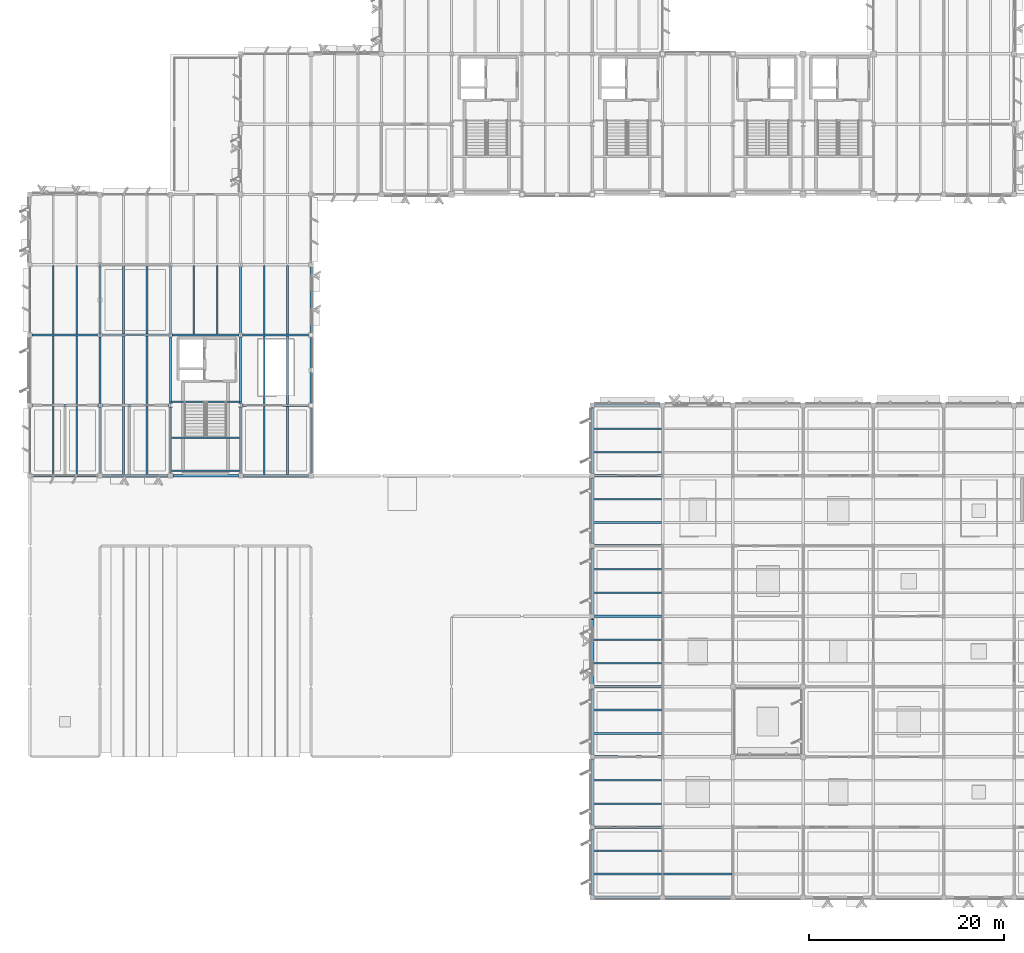
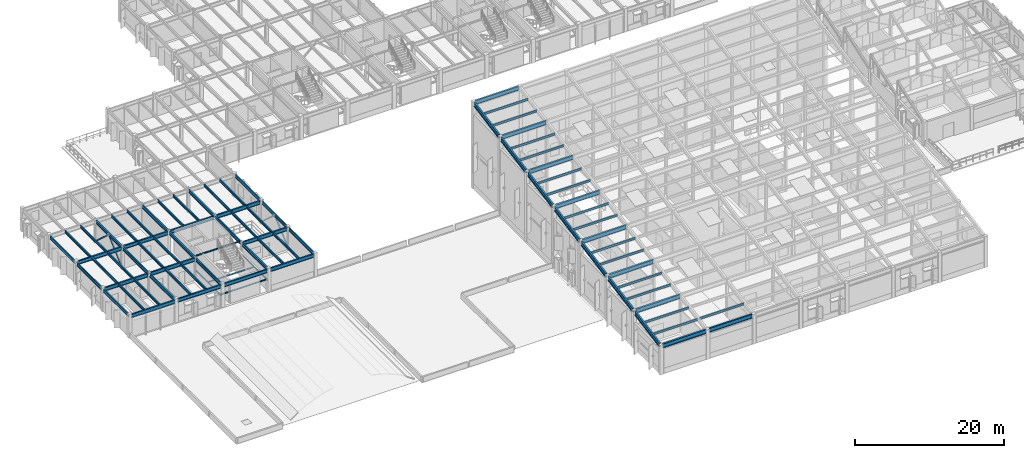
# One storey, part 15 of 82: 82 beams, 4 members.
"""IFC4 building model written with IfcOpenShell, lengths in metres."""

from ifc_helpers import new_model, si_unit, direction, frame, origin, origin_2d, place, context, subcontext, project, spatial, hollow_rectangle, i_section, extrude, material, material_profile, profile_set, type_object, element, save


model = new_model("IFC4")

# Units and contexts
model_context = context("Model", 3, precision=1e-05, world=origin(), true_north=direction((0.0, 1.0)))
body_context = subcontext(model_context, "Body", "Model", "MODEL_VIEW")
ifc_project = project(units=[si_unit("LENGTHUNIT", "METRE"), si_unit("AREAUNIT", "SQUARE_METRE"), si_unit("VOLUMEUNIT", "CUBIC_METRE"), si_unit("PLANEANGLEUNIT", "RADIAN"), si_unit("MASSUNIT", "GRAM", prefix="KILO")], contexts=[model_context])

# Site, building, storey
site_placement = place(None, origin())
site = spatial("IfcSite", under=ifc_project, at=site_placement, CompositionType="ELEMENT")
building_placement = place(site_placement, origin())
building = spatial("IfcBuilding", under=site, at=building_placement, Name="Sillqori Civic Hall", CompositionType="ELEMENT")
storey_placement = place(building_placement, frame((0.0, 0.0, 14.10009765625)))
storey = spatial("IfcBuildingStorey", under=building, at=storey_placement, Name="L04", CompositionType="ELEMENT", Elevation=14.10009765625)

# Beams
ifc_material_1 = material(Name="Steel ASTM A992", Category="steel")
ifc_material_profile_1 = material_profile(ifc_material_1, i_section(OverallWidth=0.2099609375, OverallDepth=0.532958984375, WebThickness=0.01025390625, FlangeThickness=0.015625, FilletRadius=0.013916015625, at=origin_2d()), Name="W21X62")
ifc_profile_set_1 = profile_set([ifc_material_profile_1], Name="Steel ASTM A992")
beam_type_1 = type_object("IfcBeamType", Name="BM-W21X62", PredefinedType="BEAM", material=ifc_profile_set_1)
beam_1_placement = place(storey_placement, frame((14.39990234375, 50.64404296875, 3.433349609375), z_axis=(0.0, 1.0, 0.0), x_axis=(-1.0, 0.0, 0.0)))
element("IfcBeam", 1, at=beam_1_placement, inside=storey, type_object=beam_type_1, Name="L04 girder Y 2-7", PredefinedType="BEAM", context=body_context, shape_type="SweptSolid", body=[
    extrude(i_section(OverallWidth=0.2099609375, OverallDepth=0.532958984375, WebThickness=0.01025390625, FlangeThickness=0.015625, FilletRadius=0.013916015625, at=origin_2d()), origin(), (0.0, 0.0, 1.0), 6.781494140625),
])
beam_2_placement = place(storey_placement, frame((14.39990234375, 57.7744140625, 3.433349609375), z_axis=(0.0, 1.0, 0.0), x_axis=(-1.0, 0.0, 0.0)))
element("IfcBeam", 2, at=beam_2_placement, inside=storey, type_object=beam_type_1, Name="L04 girder Y 2-8", PredefinedType="BEAM", context=body_context, shape_type="SweptSolid", body=[
    extrude(i_section(OverallWidth=0.2099609375, OverallDepth=0.532958984375, WebThickness=0.01025390625, FlangeThickness=0.015625, FilletRadius=0.013916015625, at=origin_2d()), origin(), (0.0, 0.0, 1.0), 6.85107421875),
])
beam_3_placement = place(storey_placement, frame((14.39990234375, 64.974609375, 3.433349609375), z_axis=(0.0, 1.0, 0.0), x_axis=(-1.0, 0.0, 0.0)))
element("IfcBeam", 3, at=beam_3_placement, inside=storey, type_object=beam_type_1, Name="L04 girder Y 2-9", PredefinedType="BEAM", context=body_context, shape_type="SweptSolid", body=[
    extrude(i_section(OverallWidth=0.2099609375, OverallDepth=0.532958984375, WebThickness=0.01025390625, FlangeThickness=0.015625, FilletRadius=0.013916015625, at=origin_2d()), origin(), (0.0, 0.0, 1.0), 6.850830078125),
])
beam_4_placement = place(storey_placement, frame((21.60009765625, 50.64404296875, 3.453369140625), z_axis=(0.0, 1.0, 0.0), x_axis=(-1.0, 0.0, 0.0)))
element("IfcBeam", 4, at=beam_4_placement, inside=storey, type_object=beam_type_1, Name="L04 girder Y 3-7", PredefinedType="BEAM", context=body_context, shape_type="SweptSolid", body=[
    extrude(i_section(OverallWidth=0.2099609375, OverallDepth=0.532958984375, WebThickness=0.01025390625, FlangeThickness=0.015625, FilletRadius=0.013916015625, at=origin_2d()), origin(), (0.0, 0.0, 1.0), 6.781494140625),
])
beam_5_placement = place(storey_placement, frame((21.60009765625, 57.7744140625, 3.453369140625), z_axis=(0.0, 1.0, 0.0), x_axis=(-1.0, 0.0, 0.0)))
element("IfcBeam", 5, at=beam_5_placement, inside=storey, type_object=beam_type_1, Name="L04 girder Y 3-8", PredefinedType="BEAM", context=body_context, shape_type="SweptSolid", body=[
    extrude(i_section(OverallWidth=0.2099609375, OverallDepth=0.532958984375, WebThickness=0.01025390625, FlangeThickness=0.015625, FilletRadius=0.013916015625, at=origin_2d()), origin(), (0.0, 0.0, 1.0), 6.85107421875),
])
beam_6_placement = place(storey_placement, frame((21.60009765625, 64.974609375, 3.453369140625), z_axis=(0.0, 1.0, 0.0), x_axis=(-1.0, 0.0, 0.0)))
element("IfcBeam", 6, at=beam_6_placement, inside=storey, type_object=beam_type_1, Name="L04 girder Y 3-9", PredefinedType="BEAM", context=body_context, shape_type="SweptSolid", body=[
    extrude(i_section(OverallWidth=0.2099609375, OverallDepth=0.532958984375, WebThickness=0.01025390625, FlangeThickness=0.015625, FilletRadius=0.013916015625, at=origin_2d()), origin(), (0.0, 0.0, 1.0), 6.850830078125),
])
beam_7_placement = place(storey_placement, frame((28.800048828125, 50.64404296875, 3.453369140625), z_axis=(0.0, 1.0, 0.0), x_axis=(-1.0, 0.0, 0.0)))
element("IfcBeam", 7, at=beam_7_placement, inside=storey, type_object=beam_type_1, Name="L04 girder Y 4-7", PredefinedType="BEAM", context=body_context, shape_type="SweptSolid", body=[
    extrude(i_section(OverallWidth=0.2099609375, OverallDepth=0.532958984375, WebThickness=0.01025390625, FlangeThickness=0.015625, FilletRadius=0.013916015625, at=origin_2d()), origin(), (0.0, 0.0, 1.0), 6.781494140625),
])
beam_8_placement = place(storey_placement, frame((28.800048828125, 57.7744140625, 3.453369140625), z_axis=(0.0, 1.0, 0.0), x_axis=(-1.0, 0.0, 0.0)))
element("IfcBeam", 8, at=beam_8_placement, inside=storey, type_object=beam_type_1, Name="L04 girder Y 4-8", PredefinedType="BEAM", context=body_context, shape_type="SweptSolid", body=[
    extrude(i_section(OverallWidth=0.2099609375, OverallDepth=0.532958984375, WebThickness=0.01025390625, FlangeThickness=0.015625, FilletRadius=0.013916015625, at=origin_2d()), origin(), (0.0, 0.0, 1.0), 6.85107421875),
])
beam_9_placement = place(storey_placement, frame((28.800048828125, 64.974609375, 3.453369140625), z_axis=(0.0, 1.0, 0.0), x_axis=(-1.0, 0.0, 0.0)))
element("IfcBeam", 9, at=beam_9_placement, inside=storey, type_object=beam_type_1, Name="L04 girder Y 4-9", PredefinedType="BEAM", context=body_context, shape_type="SweptSolid", body=[
    extrude(i_section(OverallWidth=0.2099609375, OverallDepth=0.532958984375, WebThickness=0.01025390625, FlangeThickness=0.015625, FilletRadius=0.013916015625, at=origin_2d()), origin(), (0.0, 0.0, 1.0), 6.850830078125),
])
ifc_material_profile_2 = material_profile(ifc_material_1, i_section(OverallWidth=0.22802734375, OverallDepth=0.60205078125, WebThickness=0.010498046875, FlangeThickness=0.014892578125, FilletRadius=0.014892578125, at=origin_2d()), Name="W24X68")
ifc_profile_set_2 = profile_set([ifc_material_profile_2], Name="Steel ASTM A992")
beam_type_2 = type_object("IfcBeamType", Name="BM-W24X68", PredefinedType="BEAM", material=ifc_profile_set_2)
beam_10_placement = place(storey_placement, frame((7.444091796875, 50.39990234375, 3.39892578125), z_axis=(1.0, 0.0, 0.0), x_axis=(0.0, 1.0, 0.0)))
element("IfcBeam", 10, at=beam_10_placement, inside=storey, type_object=beam_type_2, Name="L04 girder X 1-7", PredefinedType="BEAM", context=body_context, shape_type="SweptSolid", body=[
    extrude(i_section(OverallWidth=0.22802734375, OverallDepth=0.60205078125, WebThickness=0.010498046875, FlangeThickness=0.014892578125, FilletRadius=0.014892578125, at=origin_2d()), origin(), (0.0, 0.0, 1.0), 6.7119140625),
])
for number, where, z_axis, x_axis, name in (
    (11, (7.444091796875, 57.60009765625, 3.39892578125), (1.0, 0.0, 0.0), (0.0, 1.0, 0.0), "L04 girder X 1-8"),
    (12, (7.444091796875, 64.800048828125, 3.39892578125), (1.0, 0.0, 0.0), (0.0, 1.0, 0.0), "L04 girder X 1-9"),
):
    element("IfcBeam", number, at=place(storey_placement, frame(where, z_axis=z_axis, x_axis=x_axis)), inside=storey, type_object=beam_type_2, Name=name, PredefinedType="BEAM", context=body_context, shape_type="SweptSolid", body=[
        extrude(i_section(OverallWidth=0.22802734375, OverallDepth=0.60205078125, WebThickness=0.010498046875, FlangeThickness=0.014892578125, FilletRadius=0.014892578125, at=origin_2d()), origin(), (0.0, 0.0, 1.0), 6.7763671875),
    ])
beam_11_placement = place(storey_placement, frame((14.64404296875, 50.39990234375, 3.4189453125), z_axis=(1.0, 0.0, 0.0), x_axis=(0.0, 1.0, 0.0)))
element("IfcBeam", 13, at=beam_11_placement, inside=storey, type_object=beam_type_2, Name="L04 girder X 2-7", PredefinedType="BEAM", context=body_context, shape_type="SweptSolid", body=[
    extrude(i_section(OverallWidth=0.22802734375, OverallDepth=0.60205078125, WebThickness=0.010498046875, FlangeThickness=0.014892578125, FilletRadius=0.014892578125, at=origin_2d()), origin(), (0.0, 0.0, 1.0), 6.7119140625),
])
for number, where, z_axis, x_axis, name in (
    (14, (14.57958984375, 57.60009765625, 3.4189453125), (1.0, 0.0, 0.0), (0.0, 1.0, 0.0), "L04 girder X 2-8"),
    (15, (14.57958984375, 64.800048828125, 3.4189453125), (1.0, 0.0, 0.0), (0.0, 1.0, 0.0), "L04 girder X 2-9"),
):
    element("IfcBeam", number, at=place(storey_placement, frame(where, z_axis=z_axis, x_axis=x_axis)), inside=storey, type_object=beam_type_2, Name=name, PredefinedType="BEAM", context=body_context, shape_type="SweptSolid", body=[
        extrude(i_section(OverallWidth=0.22802734375, OverallDepth=0.60205078125, WebThickness=0.010498046875, FlangeThickness=0.014892578125, FilletRadius=0.014892578125, at=origin_2d()), origin(), (0.0, 0.0, 1.0), 6.8408203125),
    ])
beam_12_placement = place(storey_placement, frame((21.843994140625, 50.39990234375, 3.4189453125), z_axis=(1.0, 0.0, 0.0), x_axis=(0.0, 1.0, 0.0)))
element("IfcBeam", 16, at=beam_12_placement, inside=storey, type_object=beam_type_2, Name="L04 girder X 3-7", PredefinedType="BEAM", context=body_context, shape_type="SweptSolid", body=[
    extrude(i_section(OverallWidth=0.22802734375, OverallDepth=0.60205078125, WebThickness=0.010498046875, FlangeThickness=0.014892578125, FilletRadius=0.014892578125, at=origin_2d()), origin(), (0.0, 0.0, 1.0), 6.7119140625),
])
beam_13_placement = place(storey_placement, frame((21.779541015625, 64.800048828125, 3.4189453125), z_axis=(1.0, 0.0, 0.0), x_axis=(0.0, 1.0, 0.0)))
element("IfcBeam", 17, at=beam_13_placement, inside=storey, type_object=beam_type_2, Name="L04 girder X 3-9", PredefinedType="BEAM", context=body_context, shape_type="SweptSolid", body=[
    extrude(i_section(OverallWidth=0.22802734375, OverallDepth=0.60205078125, WebThickness=0.010498046875, FlangeThickness=0.014892578125, FilletRadius=0.014892578125, at=origin_2d()), origin(), (0.0, 0.0, 1.0), 6.841064453125),
])
beam_14_placement = place(storey_placement, frame((29.0439453125, 50.39990234375, 3.4189453125), z_axis=(1.0, 0.0, 0.0), x_axis=(0.0, 1.0, 0.0)))
element("IfcBeam", 18, at=beam_14_placement, inside=storey, type_object=beam_type_2, Name="L04 girder X 4-7", PredefinedType="BEAM", context=body_context, shape_type="SweptSolid", body=[
    extrude(i_section(OverallWidth=0.22802734375, OverallDepth=0.60205078125, WebThickness=0.010498046875, FlangeThickness=0.014892578125, FilletRadius=0.014892578125, at=origin_2d()), origin(), (0.0, 0.0, 1.0), 6.712158203125),
])
for number, where, z_axis, x_axis, name in (
    (19, (28.9794921875, 57.60009765625, 3.4189453125), (1.0, 0.0, 0.0), (0.0, 1.0, 0.0), "L04 girder X 4-8"),
    (20, (28.9794921875, 64.800048828125, 3.4189453125), (1.0, 0.0, 0.0), (0.0, 1.0, 0.0), "L04 girder X 4-9"),
):
    element("IfcBeam", number, at=place(storey_placement, frame(where, z_axis=z_axis, x_axis=x_axis)), inside=storey, type_object=beam_type_2, Name=name, PredefinedType="BEAM", context=body_context, shape_type="SweptSolid", body=[
        extrude(i_section(OverallWidth=0.22802734375, OverallDepth=0.60205078125, WebThickness=0.010498046875, FlangeThickness=0.014892578125, FilletRadius=0.014892578125, at=origin_2d()), origin(), (0.0, 0.0, 1.0), 6.776611328125),
    ])
ifc_material_profile_3 = material_profile(ifc_material_1, i_section(OverallWidth=0.25390625, OverallDepth=0.68310546875, WebThickness=0.012451171875, FlangeThickness=0.01904296875, FilletRadius=0.01611328125, at=origin_2d()), Name="W27X94")
ifc_profile_set_3 = profile_set([ifc_material_profile_3], Name="Steel ASTM A992")
beam_type_3 = type_object("IfcBeamType", Name="BM-W27X94", PredefinedType="BEAM", material=ifc_profile_set_3)
for number, where, z_axis, x_axis, name in (
    (21, (65.0419921875, 7.199951171875, 4.530517578125), (0.999992150025, 0.0, 0.003962308494), (0.0, 1.0, 0.0), "Wedge roof girder X 9-10@1"),
    (22, (72.241943359375, 7.199951171875, 4.55908203125), (0.999992150025, 0.0, 0.003962308494), (0.0, 1.0, 0.0), "Wedge roof girder X 10-11@1"),
):
    element("IfcBeam", number, at=place(storey_placement, frame(where, z_axis=z_axis, x_axis=x_axis)), inside=storey, type_object=beam_type_3, Name=name, PredefinedType="BEAM", context=body_context, shape_type="SweptSolid", body=[
        extrude(i_section(OverallWidth=0.25390625, OverallDepth=0.68310546875, WebThickness=0.012451171875, FlangeThickness=0.01904296875, FilletRadius=0.01611328125, at=origin_2d()), origin(), (0.0, 0.0, 1.0), 6.716064453125),
    ])
for number, where, z_axis, x_axis, name in (
    (23, (65.0419921875, 14.39990234375, 5.873291015625), (0.999992003523, 0.0, 0.003999111062), (0.0, 1.0, 0.0), "Wedge roof girder X 9-10@2"),
    (24, (65.0419921875, 21.60009765625, 7.21630859375), (0.999992145678, 0.0, 0.003963405276), (0.0, 1.0, 0.0), "Wedge roof girder X 9-10@3"),
    (25, (65.0419921875, 28.800048828125, 8.55908203125), (0.999992145678, 0.0, 0.003963405276), (0.0, 1.0, 0.0), "Wedge roof girder X 9-10@4"),
    (26, (65.0419921875, 36.0, 9.902099609375), (0.999992145678, 0.0, 0.003963405276), (0.0, 1.0, 0.0), "Wedge roof girder X 9-10@5"),
    (27, (65.0419921875, 43.199951171875, 11.244873046875), (0.999992145678, 0.0, 0.003963405276), (0.0, 1.0, 0.0), "Wedge roof girder X 9-10@6"),
    (28, (65.0419921875, 50.39990234375, 12.587646484375), (0.999992145678, 0.0, 0.003963405276), (0.0, 1.0, 0.0), "Wedge roof girder X 9-10@7"),
):
    element("IfcBeam", number, at=place(storey_placement, frame(where, z_axis=z_axis, x_axis=x_axis)), inside=storey, type_object=beam_type_3, Name=name, PredefinedType="BEAM", context=body_context, shape_type="SweptSolid", body=[
        extrude(i_section(OverallWidth=0.25390625, OverallDepth=0.68310546875, WebThickness=0.012451171875, FlangeThickness=0.01904296875, FilletRadius=0.01611328125, at=origin_2d()), origin(), (0.0, 0.0, 1.0), 6.83740234375),
    ])
beam_15_placement = place(storey_placement, frame((65.0419921875, 57.60009765625, 13.9306640625), z_axis=(0.999992150025, 0.0, 0.003962308494), x_axis=(0.0, 1.0, 0.0)))
element("IfcBeam", 29, at=beam_15_placement, inside=storey, type_object=beam_type_3, Name="Wedge roof girder X 9-10@8", PredefinedType="BEAM", context=body_context, shape_type="SweptSolid", body=[
    extrude(i_section(OverallWidth=0.25390625, OverallDepth=0.68310546875, WebThickness=0.012451171875, FlangeThickness=0.01904296875, FilletRadius=0.01611328125, at=origin_2d()), origin(), (0.0, 0.0, 1.0), 6.716064453125),
])
beam_16_placement = place(storey_placement, frame((64.800048828125, 7.44189453125, 4.57470703125), z_axis=(0.0, 0.983046108972, 0.183358522125), x_axis=(-1.0, 0.0, 0.0)))
element("IfcBeam", 30, at=beam_16_placement, inside=storey, type_object=beam_type_3, Name="Wedge roof inclined rafter Y 9@1-2", PredefinedType="BEAM", context=body_context, shape_type="SweptSolid", body=[
    extrude(i_section(OverallWidth=0.25390625, OverallDepth=0.68310546875, WebThickness=0.012451171875, FlangeThickness=0.01904296875, FilletRadius=0.01611328125, at=origin_2d()), origin(), (0.0, 0.0, 1.0), 6.831787109375),
])
beam_17_placement = place(storey_placement, frame((64.800048828125, 14.64208984375, 5.91748046875), z_axis=(0.0, 0.98304490747, 0.183364963655), x_axis=(-1.0, 0.0, 0.0)))
element("IfcBeam", 31, at=beam_17_placement, inside=storey, type_object=beam_type_3, Name="Wedge roof inclined rafter Y 9@2-3", PredefinedType="BEAM", context=body_context, shape_type="SweptSolid", body=[
    extrude(i_section(OverallWidth=0.25390625, OverallDepth=0.68310546875, WebThickness=0.012451171875, FlangeThickness=0.01904296875, FilletRadius=0.01611328125, at=origin_2d()), origin(), (0.0, 0.0, 1.0), 6.83154296875),
])
for number, where, z_axis, x_axis, name in (
    (32, (64.800048828125, 21.842041015625, 7.260498046875), (0.0, 0.983052549715, 0.183323987787), (-1.0, 0.0, 0.0), "Wedge roof inclined rafter Y 9@3-4"),
    (33, (64.800048828125, 29.0419921875, 8.603271484375), (0.0, 0.983046108972, 0.183358522125), (-1.0, 0.0, 0.0), "Wedge roof inclined rafter Y 9@4-5"),
    (34, (64.800048828125, 36.241943359375, 9.9462890625), (0.0, 0.983052549715, 0.183323987787), (-1.0, 0.0, 0.0), "Wedge roof inclined rafter Y 9@5-6"),
    (35, (64.800048828125, 43.44189453125, 11.2890625), (0.0, 0.983052549715, 0.183323987787), (-1.0, 0.0, 0.0), "Wedge roof inclined rafter Y 9@6-7"),
):
    element("IfcBeam", number, at=place(storey_placement, frame(where, z_axis=z_axis, x_axis=x_axis)), inside=storey, type_object=beam_type_3, Name=name, PredefinedType="BEAM", context=body_context, shape_type="SweptSolid", body=[
        extrude(i_section(OverallWidth=0.25390625, OverallDepth=0.68310546875, WebThickness=0.012451171875, FlangeThickness=0.01904296875, FilletRadius=0.01611328125, at=origin_2d()), origin(), (0.0, 0.0, 1.0), 6.831787109375),
    ])
beam_18_placement = place(storey_placement, frame((64.800048828125, 50.64208984375, 12.6318359375), z_axis=(0.0, 0.98304490747, 0.183364963655), x_axis=(-1.0, 0.0, 0.0)))
element("IfcBeam", 36, at=beam_18_placement, inside=storey, type_object=beam_type_3, Name="Wedge roof inclined rafter Y 9@7-8", PredefinedType="BEAM", context=body_context, shape_type="SweptSolid", body=[
    extrude(i_section(OverallWidth=0.25390625, OverallDepth=0.68310546875, WebThickness=0.012451171875, FlangeThickness=0.01904296875, FilletRadius=0.01611328125, at=origin_2d()), origin(), (0.0, 0.0, 1.0), 6.83154296875),
])

# Members
ifc_material_2 = material(Name="Steel ASTM A500 Grade C", Category="steel")
ifc_material_profile_4 = material_profile(ifc_material_2, hollow_rectangle(XDim=0.199951171875, YDim=0.199951171875, WallThickness=0.010009765625, InnerFilletRadius=0.010009765625, OuterFilletRadius=0.02001953125, at=origin_2d()), Name="HSS200X200X10")
ifc_profile_set_4 = profile_set([ifc_material_profile_4], Name="Steel ASTM A500 Grade C")
member_type = type_object("IfcMemberType", Name="BR-HSS200", PredefinedType="BRACE", material=ifc_profile_set_4)
member_1_placement = place(storey_placement, frame((36.0, 57.60009765625, 0.14990234375), z_axis=(0.0, 0.742254478498, 0.67011811582), x_axis=(-1.0, 0.0, 0.0)))
element("IfcMember", 37, at=member_1_placement, inside=storey, type_object=member_type, Name="L04 seismic chevron brace L Y5-8", PredefinedType="BRACE", context=body_context, shape_type="SweptSolid", body=[
    extrude(hollow_rectangle(XDim=0.199951171875, YDim=0.199951171875, WallThickness=0.010009765625, InnerFilletRadius=0.010009765625, OuterFilletRadius=0.02001953125, at=origin_2d()), origin(), (0.0, 0.0, 1.0), 4.849853515625),
])
member_2_placement = place(storey_placement, frame((36.0, 64.800048828125, 0.14990234375), z_axis=(0.0, -0.742277082557, 0.670093077648), x_axis=(1.0, 0.0, 0.0)))
element("IfcMember", 38, at=member_2_placement, inside=storey, type_object=member_type, Name="L04 seismic chevron brace R Y5-8", PredefinedType="BRACE", context=body_context, shape_type="SweptSolid", body=[
    extrude(hollow_rectangle(XDim=0.199951171875, YDim=0.199951171875, WallThickness=0.010009765625, InnerFilletRadius=0.010009765625, OuterFilletRadius=0.02001953125, at=origin_2d()), origin(), (0.0, 0.0, 1.0), 4.85009765625),
])
member_3_placement = place(storey_placement, frame((14.39990234375, 64.800048828125, 0.14990234375), z_axis=(0.0, 0.742254478498, 0.67011811582), x_axis=(-1.0, 0.0, 0.0)))
element("IfcMember", 39, at=member_3_placement, inside=storey, type_object=member_type, Name="L04 seismic chevron brace L Y2-9", PredefinedType="BRACE", context=body_context, shape_type="SweptSolid", body=[
    extrude(hollow_rectangle(XDim=0.199951171875, YDim=0.199951171875, WallThickness=0.010009765625, InnerFilletRadius=0.010009765625, OuterFilletRadius=0.02001953125, at=origin_2d()), origin(), (0.0, 0.0, 1.0), 4.849853515625),
])
member_4_placement = place(storey_placement, frame((14.39990234375, 72.0, 0.14990234375), z_axis=(0.0, -0.742277082557, 0.670093077648), x_axis=(1.0, 0.0, 0.0)))
element("IfcMember", 40, at=member_4_placement, inside=storey, type_object=member_type, Name="L04 seismic chevron brace R Y2-9", PredefinedType="BRACE", context=body_context, shape_type="SweptSolid", body=[
    extrude(hollow_rectangle(XDim=0.199951171875, YDim=0.199951171875, WallThickness=0.010009765625, InnerFilletRadius=0.010009765625, OuterFilletRadius=0.02001953125, at=origin_2d()), origin(), (0.0, 0.0, 1.0), 4.85009765625),
])

# Beams
ifc_material_profile_5 = material_profile(ifc_material_1, i_section(OverallWidth=0.177978515625, OverallDepth=0.404052734375, WebThickness=0.007568359375, FlangeThickness=0.010986328125, FilletRadius=0.011962890625, at=origin_2d()), Name="W16X36")
ifc_profile_set_5 = profile_set([ifc_material_profile_5], Name="Steel ASTM A992")
beam_type_4 = type_object("IfcBeamType", Name="JS-W16X36", PredefinedType="JOIST", material=ifc_profile_set_5)
for number, where, z_axis, x_axis, name in (
    (41, (9.60009765625, 50.4951171875, 3.497802734375), (0.0, 1.0, 0.0), (-1.0, 0.0, 0.0), "L04 composite joist 1-7.1"),
    (42, (12.0, 50.4951171875, 3.497802734375), (0.0, 1.0, 0.0), (-1.0, 0.0, 0.0), "L04 composite joist 1-7.2"),
):
    element("IfcBeam", number, at=place(storey_placement, frame(where, z_axis=z_axis, x_axis=x_axis)), inside=storey, type_object=beam_type_4, Name=name, PredefinedType="JOIST", context=body_context, shape_type="SweptSolid", body=[
        extrude(i_section(OverallWidth=0.177978515625, OverallDepth=0.404052734375, WebThickness=0.007568359375, FlangeThickness=0.010986328125, FilletRadius=0.011962890625, at=origin_2d()), origin(), (0.0, 0.0, 1.0), 7.009765625),
    ])
for number, where, z_axis, x_axis, name in (
    (43, (9.60009765625, 57.695068359375, 3.497802734375), (0.0, 1.0, 0.0), (-1.0, 0.0, 0.0), "L04 composite joist 1-8.1"),
    (44, (12.0, 57.695068359375, 3.497802734375), (0.0, 1.0, 0.0), (-1.0, 0.0, 0.0), "L04 composite joist 1-8.2"),
    (45, (9.60009765625, 64.89501953125, 3.497802734375), (0.0, 1.0, 0.0), (-1.0, 0.0, 0.0), "L04 composite joist 1-9.1"),
    (46, (12.0, 64.89501953125, 3.497802734375), (0.0, 1.0, 0.0), (-1.0, 0.0, 0.0), "L04 composite joist 1-9.2"),
):
    element("IfcBeam", number, at=place(storey_placement, frame(where, z_axis=z_axis, x_axis=x_axis)), inside=storey, type_object=beam_type_4, Name=name, PredefinedType="JOIST", context=body_context, shape_type="SweptSolid", body=[
        extrude(i_section(OverallWidth=0.177978515625, OverallDepth=0.404052734375, WebThickness=0.007568359375, FlangeThickness=0.010986328125, FilletRadius=0.011962890625, at=origin_2d()), origin(), (0.0, 0.0, 1.0), 7.010009765625),
    ])
for number, where, z_axis, x_axis, name in (
    (47, (16.800048828125, 50.4951171875, 3.517822265625), (0.0, 1.0, 0.0), (-1.0, 0.0, 0.0), "L04 composite joist 2-7.1"),
    (48, (19.199951171875, 50.4951171875, 3.517822265625), (0.0, 1.0, 0.0), (-1.0, 0.0, 0.0), "L04 composite joist 2-7.2"),
):
    element("IfcBeam", number, at=place(storey_placement, frame(where, z_axis=z_axis, x_axis=x_axis)), inside=storey, type_object=beam_type_4, Name=name, PredefinedType="JOIST", context=body_context, shape_type="SweptSolid", body=[
        extrude(i_section(OverallWidth=0.177978515625, OverallDepth=0.404052734375, WebThickness=0.007568359375, FlangeThickness=0.010986328125, FilletRadius=0.011962890625, at=origin_2d()), origin(), (0.0, 0.0, 1.0), 7.009765625),
    ])
for number, where, z_axis, x_axis, name in (
    (49, (16.800048828125, 57.695068359375, 3.517822265625), (0.0, 1.0, 0.0), (-1.0, 0.0, 0.0), "L04 composite joist 2-8.1"),
    (50, (19.199951171875, 57.695068359375, 3.517822265625), (0.0, 1.0, 0.0), (-1.0, 0.0, 0.0), "L04 composite joist 2-8.2"),
    (51, (16.800048828125, 64.89501953125, 3.517822265625), (0.0, 1.0, 0.0), (-1.0, 0.0, 0.0), "L04 composite joist 2-9.1"),
    (52, (19.199951171875, 64.89501953125, 3.517822265625), (0.0, 1.0, 0.0), (-1.0, 0.0, 0.0), "L04 composite joist 2-9.2"),
    (53, (24.0, 64.89501953125, 3.517822265625), (0.0, 1.0, 0.0), (-1.0, 0.0, 0.0), "L04 composite joist 3-9.1"),
    (54, (26.39990234375, 64.89501953125, 3.517822265625), (0.0, 1.0, 0.0), (-1.0, 0.0, 0.0), "L04 composite joist 3-9.2"),
):
    element("IfcBeam", number, at=place(storey_placement, frame(where, z_axis=z_axis, x_axis=x_axis)), inside=storey, type_object=beam_type_4, Name=name, PredefinedType="JOIST", context=body_context, shape_type="SweptSolid", body=[
        extrude(i_section(OverallWidth=0.177978515625, OverallDepth=0.404052734375, WebThickness=0.007568359375, FlangeThickness=0.010986328125, FilletRadius=0.011962890625, at=origin_2d()), origin(), (0.0, 0.0, 1.0), 7.010009765625),
    ])
for number, where, z_axis, x_axis, name in (
    (55, (31.199951171875, 50.4951171875, 3.517822265625), (0.0, 1.0, 0.0), (-1.0, 0.0, 0.0), "L04 composite joist 4-7.1"),
    (56, (33.60009765625, 50.4951171875, 3.517822265625), (0.0, 1.0, 0.0), (-1.0, 0.0, 0.0), "L04 composite joist 4-7.2"),
):
    element("IfcBeam", number, at=place(storey_placement, frame(where, z_axis=z_axis, x_axis=x_axis)), inside=storey, type_object=beam_type_4, Name=name, PredefinedType="JOIST", context=body_context, shape_type="SweptSolid", body=[
        extrude(i_section(OverallWidth=0.177978515625, OverallDepth=0.404052734375, WebThickness=0.007568359375, FlangeThickness=0.010986328125, FilletRadius=0.011962890625, at=origin_2d()), origin(), (0.0, 0.0, 1.0), 7.009765625),
    ])
for number, where, z_axis, x_axis, name in (
    (57, (31.199951171875, 57.695068359375, 3.517822265625), (0.0, 1.0, 0.0), (-1.0, 0.0, 0.0), "L04 composite joist 4-8.1"),
    (58, (33.60009765625, 57.695068359375, 3.517822265625), (0.0, 1.0, 0.0), (-1.0, 0.0, 0.0), "L04 composite joist 4-8.2"),
    (59, (31.199951171875, 64.89501953125, 3.517822265625), (0.0, 1.0, 0.0), (-1.0, 0.0, 0.0), "L04 composite joist 4-9.1"),
    (60, (33.60009765625, 64.89501953125, 3.517822265625), (0.0, 1.0, 0.0), (-1.0, 0.0, 0.0), "L04 composite joist 4-9.2"),
):
    element("IfcBeam", number, at=place(storey_placement, frame(where, z_axis=z_axis, x_axis=x_axis)), inside=storey, type_object=beam_type_4, Name=name, PredefinedType="JOIST", context=body_context, shape_type="SweptSolid", body=[
        extrude(i_section(OverallWidth=0.177978515625, OverallDepth=0.404052734375, WebThickness=0.007568359375, FlangeThickness=0.010986328125, FilletRadius=0.011962890625, at=origin_2d()), origin(), (0.0, 0.0, 1.0), 7.010009765625),
    ])
ifc_material_profile_6 = material_profile(ifc_material_1, i_section(OverallWidth=0.133056640625, OverallDepth=0.20703125, WebThickness=0.005859375, FlangeThickness=0.00830078125, FilletRadius=0.008056640625, at=origin_2d()), Name="W8X18")
ifc_profile_set_6 = profile_set([ifc_material_profile_6], Name="Steel ASTM A992")
beam_type_5 = type_object("IfcBeamType", Name="LN-W8X18", PredefinedType="LINTEL", material=ifc_profile_set_6)
for number, where, z_axis, x_axis, name in (
    (61, (21.60009765625, 50.64404296875, 1.63232421875), (0.0, 1.0, 0.0), (-1.0, 0.0, 0.0), "L04 grid 3 stair landing stringer 1"),
    (62, (28.800048828125, 50.64404296875, 1.63232421875), (0.0, 1.0, 0.0), (-1.0, 0.0, 0.0), "L04 grid 4 stair landing stringer 1"),
):
    element("IfcBeam", number, at=place(storey_placement, frame(where, z_axis=z_axis, x_axis=x_axis)), inside=storey, type_object=beam_type_5, Name=name, PredefinedType="LINTEL", context=body_context, shape_type="SweptSolid", body=[
        extrude(i_section(OverallWidth=0.133056640625, OverallDepth=0.20703125, WebThickness=0.005859375, FlangeThickness=0.00830078125, FilletRadius=0.008056640625, at=origin_2d()), origin(), (0.0, 0.0, 1.0), 6.781494140625),
    ])
for number, where, z_axis, x_axis, name in (
    (63, (21.64990234375, 50.89501953125, 1.63232421875), (1.0, 0.0, 0.0), (0.0, 1.0, 0.0), "L04 C4 stair half-landing steel ledger 1.1"),
    (64, (21.64990234375, 54.27001953125, 1.63232421875), (1.0, 0.0, 0.0), (0.0, 1.0, 0.0), "L04 C4 stair half-landing steel ledger 1.2"),
    (65, (21.64990234375, 57.969970703125, 3.622314453125), (1.0, 0.0, 0.0), (0.0, 1.0, 0.0), "L04 C4 stair upper arrival steel trimmer"),
):
    element("IfcBeam", number, at=place(storey_placement, frame(where, z_axis=z_axis, x_axis=x_axis)), inside=storey, type_object=beam_type_5, Name=name, PredefinedType="LINTEL", context=body_context, shape_type="SweptSolid", body=[
        extrude(i_section(OverallWidth=0.133056640625, OverallDepth=0.20703125, WebThickness=0.005859375, FlangeThickness=0.00830078125, FilletRadius=0.008056640625, at=origin_2d()), origin(), (0.0, 0.0, 1.0), 7.10009765625),
    ])
ifc_material_profile_7 = material_profile(ifc_material_1, i_section(OverallWidth=0.1708984375, OverallDepth=0.35107421875, WebThickness=0.0068359375, FlangeThickness=0.009765625, FilletRadius=0.010986328125, at=origin_2d()), Name="W14X30")
ifc_profile_set_7 = profile_set([ifc_material_profile_7], Name="Steel ASTM A992")
beam_type_6 = type_object("IfcBeamType", Name="PR-W14X30", PredefinedType="JOIST", material=ifc_profile_set_7)
for number, where, z_axis, x_axis, name in (
    (66, (64.89990234375, 9.60009765625, 5.008544921875), (1.0, 0.0, 0.0), (0.0, 1.0, 0.0), "Wedge roof purlin 9-1.1"),
    (67, (72.10009765625, 9.60009765625, 5.037109375), (1.0, 0.0, 0.0), (0.0, 1.0, 0.0), "Wedge roof purlin 10-1.1"),
    (68, (64.89990234375, 12.0, 5.456298828125), (1.0, 0.0, 0.0), (0.0, 1.0, 0.0), "Wedge roof purlin 9-1.2"),
    (69, (64.89990234375, 16.800048828125, 6.3515625), (1.0, 0.0, 0.0), (0.0, 1.0, 0.0), "Wedge roof purlin 9-2.1"),
    (70, (64.89990234375, 19.199951171875, 6.799072265625), (1.0, 0.0, 0.0), (0.0, 1.0, 0.0), "Wedge roof purlin 9-2.2"),
    (71, (64.89990234375, 24.0, 7.6943359375), (1.0, 0.0, 0.0), (0.0, 1.0, 0.0), "Wedge roof purlin 9-3.1"),
    (72, (64.89990234375, 26.39990234375, 8.14208984375), (1.0, 0.0, 0.0), (0.0, 1.0, 0.0), "Wedge roof purlin 9-3.2"),
    (73, (64.89990234375, 31.199951171875, 9.037109375), (1.0, 0.0, 0.0), (0.0, 1.0, 0.0), "Wedge roof purlin 9-4.1"),
    (74, (64.89990234375, 33.60009765625, 9.48486328125), (1.0, 0.0, 0.0), (0.0, 1.0, 0.0), "Wedge roof purlin 9-4.2"),
    (75, (64.89990234375, 38.39990234375, 10.3798828125), (1.0, 0.0, 0.0), (0.0, 1.0, 0.0), "Wedge roof purlin 9-5.1"),
    (76, (64.89990234375, 40.800048828125, 10.82763671875), (1.0, 0.0, 0.0), (0.0, 1.0, 0.0), "Wedge roof purlin 9-5.2"),
    (77, (64.89990234375, 45.60009765625, 11.722900390625), (1.0, 0.0, 0.0), (0.0, 1.0, 0.0), "Wedge roof purlin 9-6.1"),
    (78, (64.89990234375, 48.0, 12.17041015625), (1.0, 0.0, 0.0), (0.0, 1.0, 0.0), "Wedge roof purlin 9-6.2"),
    (79, (64.89990234375, 52.800048828125, 13.06591796875), (1.0, 0.0, 0.0), (0.0, 1.0, 0.0), "Wedge roof purlin 9-7.1"),
    (80, (64.89990234375, 55.199951171875, 13.513427734375), (1.0, 0.0, 0.0), (0.0, 1.0, 0.0), "Wedge roof purlin 9-7.2"),
):
    element("IfcBeam", number, at=place(storey_placement, frame(where, z_axis=z_axis, x_axis=x_axis)), inside=storey, type_object=beam_type_6, Name=name, PredefinedType="JOIST", context=body_context, shape_type="SweptSolid", body=[
        extrude(i_section(OverallWidth=0.1708984375, OverallDepth=0.35107421875, WebThickness=0.0068359375, FlangeThickness=0.009765625, FilletRadius=0.010986328125, at=origin_2d()), origin(), (0.0, 0.0, 1.0), 7.0),
    ])
ifc_material_profile_8 = material_profile(ifc_material_1, i_section(OverallWidth=0.166015625, OverallDepth=0.528076171875, WebThickness=0.009765625, FlangeThickness=0.013671875, FilletRadius=0.013916015625, at=origin_2d()), Name="W21X50")
ifc_profile_set_8 = profile_set([ifc_material_profile_8], Name="Steel ASTM A992")
beam_type_7 = type_object("IfcBeamType", Name="SP-W21X50", PredefinedType="SPANDREL", material=ifc_profile_set_8)
for number, where, z_axis, x_axis, name in (
    (81, (7.199951171875, 50.64404296875, 3.435791015625), (0.0, 1.0, 0.0), (-1.0, 0.0, 0.0), "L04 girder Y 1-7"),
    (82, (7.199951171875, 57.843994140625, 3.435791015625), (0.0, 1.0, 0.0), (-1.0, 0.0, 0.0), "L04 girder Y 1-8"),
):
    element("IfcBeam", number, at=place(storey_placement, frame(where, z_axis=z_axis, x_axis=x_axis)), inside=storey, type_object=beam_type_7, Name=name, PredefinedType="SPANDREL", context=body_context, shape_type="SweptSolid", body=[
        extrude(i_section(OverallWidth=0.166015625, OverallDepth=0.528076171875, WebThickness=0.009765625, FlangeThickness=0.013671875, FilletRadius=0.013916015625, at=origin_2d()), origin(), (0.0, 0.0, 1.0), 6.7119140625),
    ])
beam_19_placement = place(storey_placement, frame((7.199951171875, 65.0439453125, 3.435791015625), z_axis=(0.0, 1.0, 0.0), x_axis=(-1.0, 0.0, 0.0)))
element("IfcBeam", 83, at=beam_19_placement, inside=storey, type_object=beam_type_7, Name="L04 girder Y 1-9", PredefinedType="SPANDREL", context=body_context, shape_type="SweptSolid", body=[
    extrude(i_section(OverallWidth=0.166015625, OverallDepth=0.528076171875, WebThickness=0.009765625, FlangeThickness=0.013671875, FilletRadius=0.013916015625, at=origin_2d()), origin(), (0.0, 0.0, 1.0), 6.712158203125),
])
for number, where, z_axis, x_axis, name in (
    (84, (36.0, 50.64404296875, 3.455810546875), (0.0, 1.0, 0.0), (-1.0, 0.0, 0.0), "L04 girder Y 5-7"),
    (85, (36.0, 57.843994140625, 3.455810546875), (0.0, 1.0, 0.0), (-1.0, 0.0, 0.0), "L04 girder Y 5-8"),
):
    element("IfcBeam", number, at=place(storey_placement, frame(where, z_axis=z_axis, x_axis=x_axis)), inside=storey, type_object=beam_type_7, Name=name, PredefinedType="SPANDREL", context=body_context, shape_type="SweptSolid", body=[
        extrude(i_section(OverallWidth=0.166015625, OverallDepth=0.528076171875, WebThickness=0.009765625, FlangeThickness=0.013671875, FilletRadius=0.013916015625, at=origin_2d()), origin(), (0.0, 0.0, 1.0), 6.7119140625),
    ])
beam_20_placement = place(storey_placement, frame((36.0, 65.0439453125, 3.455810546875), z_axis=(0.0, 1.0, 0.0), x_axis=(-1.0, 0.0, 0.0)))
element("IfcBeam", 86, at=beam_20_placement, inside=storey, type_object=beam_type_7, Name="L04 girder Y 5-9", PredefinedType="SPANDREL", context=body_context, shape_type="SweptSolid", body=[
    extrude(i_section(OverallWidth=0.166015625, OverallDepth=0.528076171875, WebThickness=0.009765625, FlangeThickness=0.013671875, FilletRadius=0.013916015625, at=origin_2d()), origin(), (0.0, 0.0, 1.0), 6.712158203125),
])

save(model, "model.ifc")
